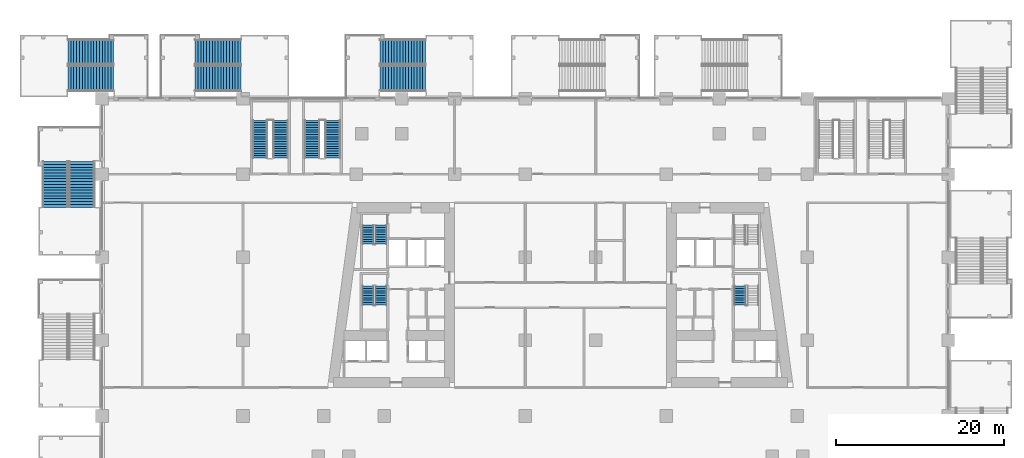
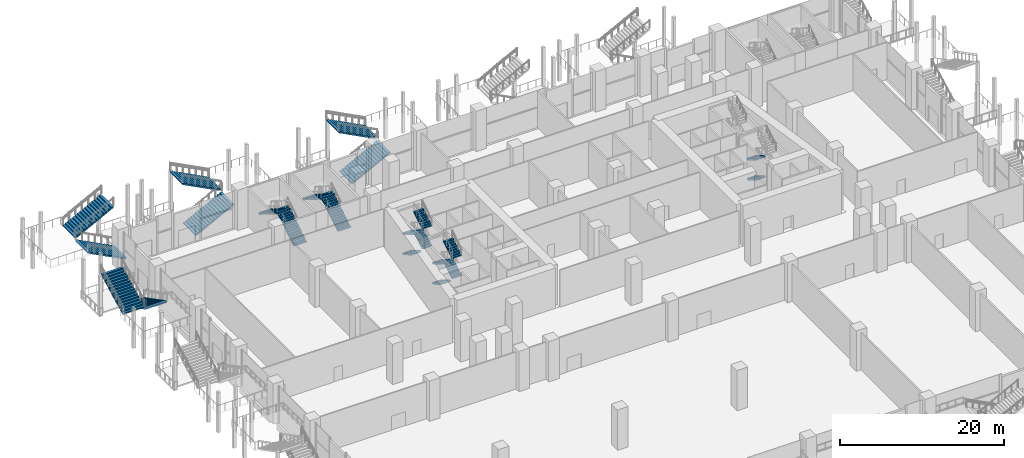
# One storey, part 32 of 49: 22 stair flights, 9 elements without a shape of their own.
"""IFC4 building model written with IfcOpenShell, lengths in metres."""

from ifc_helpers import new_model, si_unit, direction, frame, origin, place, context, subcontext, project, spatial, polyline, outline, extrude, material, type_object, element, aggregate, save


model = new_model("IFC4")

# Units and contexts
model_context = context("Model", 3, precision=1e-05, world=origin(), true_north=direction((0.0, 1.0)))
body_context = subcontext(model_context, "Body", "Model", "MODEL_VIEW")
ifc_project = project(units=[si_unit("LENGTHUNIT", "METRE"), si_unit("AREAUNIT", "SQUARE_METRE"), si_unit("VOLUMEUNIT", "CUBIC_METRE"), si_unit("PLANEANGLEUNIT", "RADIAN"), si_unit("MASSUNIT", "GRAM", prefix="KILO")], contexts=[model_context])

# Site, building, storey
site_placement = place(None, origin())
site = spatial("IfcSite", under=ifc_project, at=site_placement, CompositionType="ELEMENT")
building_placement = place(site_placement, origin())
building = spatial("IfcBuilding", under=site, at=building_placement, Name="Candeia Pilgrim Tower and Theatre", CompositionType="ELEMENT")
storey_placement = place(building_placement, frame((0.0, 0.0, 17.0)))
storey = spatial("IfcBuildingStorey", under=building, at=storey_placement, Name="L02", CompositionType="ELEMENT", Elevation=17.0)

# Stair, stair flights
ifc_material = material(Name="Concrete C40/50", Category="concrete")
stair_type_1 = type_object("IfcStairType", Name="ST-EXT external escape stair", PredefinedType="HALF_TURN_STAIR", material=ifc_material)
stair_1_placement = place(storey_placement, origin())
stair_1 = element("IfcStair", 1, at=stair_1_placement, inside=storey, type_object=stair_type_1, Name="L02 External escape stair ES3", PredefinedType="HALF_TURN_STAIR")
stair_flight_type_1 = type_object("IfcStairFlightType", Name="SFL-EXT stair flight", PredefinedType="STRAIGHT", material=ifc_material)
stair_flight_1_placement = place(storey_placement, frame((60.199951171875, 147.199951171875, 0.0), z_axis=(0.0, 0.0, 1.0), x_axis=(-1.0, 0.0, 0.0)))
stair_flight_1 = element("IfcStairFlight", 2, at=stair_flight_1_placement, type_object=stair_flight_type_1, Name="ES3 flight 1", NumberOfRisers=17, NumberOfTreads=16, PredefinedType="STRAIGHT", RiserHeight=0.176470588, TreadLength=0.34, context=body_context, shape_type="SweptSolid", body=[
    extrude(outline(polyline([(0.0, 0.0), (0.0, 0.176513671875), (0.340087890625, 0.176513671875), (0.340087890625, 0.35302734375), (0.679931640625, 0.35302734375), (0.679931640625, 0.529296875), (1.02001953125, 0.529296875), (1.02001953125, 0.705810546875), (1.360107421875, 0.705810546875), (1.360107421875, 0.88232421875), (1.699951171875, 0.88232421875), (1.699951171875, 1.058837890625), (2.0400390625, 1.058837890625), (2.0400390625, 1.2353515625), (2.3798828125, 1.2353515625), (2.3798828125, 1.411865234375), (2.719970703125, 1.411865234375), (2.719970703125, 1.588134765625), (3.06005859375, 1.588134765625), (3.06005859375, 1.7646484375), (3.39990234375, 1.7646484375), (3.39990234375, 1.941162109375), (3.739990234375, 1.941162109375), (3.739990234375, 2.11767578125), (4.080078125, 2.11767578125), (4.080078125, 2.294189453125), (4.419921875, 2.294189453125), (4.419921875, 2.470703125), (4.760009765625, 2.470703125), (4.760009765625, 2.64697265625), (5.10009765625, 2.64697265625), (5.10009765625, 2.823486328125), (5.43994140625, 2.823486328125), (5.43994140625, 3.0), (5.43994140625, 2.654541015625), (0.325439453125, 0.0), (0.0, 0.0)])), frame((0.0, 1.5, 0.0), z_axis=(0.0, -1.0, 0.0), x_axis=(1.0, 0.0, 0.0)), (0.0, 0.0, 1.0), 3.0),
])
stair_flight_2_placement = place(storey_placement, frame((54.760009765625, 150.35009765625, 3.0), z_axis=(0.0, 0.0, 1.0), x_axis=(1.0, 0.0, 0.0)))
stair_flight_2 = element("IfcStairFlight", 3, at=stair_flight_2_placement, type_object=stair_flight_type_1, Name="ES3 flight 2", NumberOfRisers=17, NumberOfTreads=16, PredefinedType="STRAIGHT", RiserHeight=0.176470588, TreadLength=0.34, context=body_context, shape_type="SweptSolid", body=[
    extrude(outline(polyline([(0.0, 0.0), (0.0, 0.176513671875), (0.340087890625, 0.176513671875), (0.340087890625, 0.35302734375), (0.679931640625, 0.35302734375), (0.679931640625, 0.529296875), (1.02001953125, 0.529296875), (1.02001953125, 0.705810546875), (1.360107421875, 0.705810546875), (1.360107421875, 0.88232421875), (1.699951171875, 0.88232421875), (1.699951171875, 1.058837890625), (2.0400390625, 1.058837890625), (2.0400390625, 1.2353515625), (2.3798828125, 1.2353515625), (2.3798828125, 1.411865234375), (2.719970703125, 1.411865234375), (2.719970703125, 1.588134765625), (3.06005859375, 1.588134765625), (3.06005859375, 1.7646484375), (3.39990234375, 1.7646484375), (3.39990234375, 1.941162109375), (3.739990234375, 1.941162109375), (3.739990234375, 2.11767578125), (4.080078125, 2.11767578125), (4.080078125, 2.294189453125), (4.419921875, 2.294189453125), (4.419921875, 2.470703125), (4.760009765625, 2.470703125), (4.760009765625, 2.64697265625), (5.10009765625, 2.64697265625), (5.10009765625, 2.823486328125), (5.43994140625, 2.823486328125), (5.43994140625, 3.0), (5.43994140625, 2.654541015625), (0.325439453125, 0.0), (0.0, 0.0)])), frame((0.0, 1.5, 0.0), z_axis=(0.0, -1.0, 0.0), x_axis=(1.0, 0.0, 0.0)), (0.0, 0.0, 1.0), 3.0),
])
aggregate(stair_1, [stair_flight_1, stair_flight_2])

stair_2_placement = place(storey_placement, origin())
stair_2 = element("IfcStair", 4, at=stair_2_placement, inside=storey, type_object=stair_type_1, Name="L02 External escape stair ES4", PredefinedType="HALF_TURN_STAIR")
stair_flight_3_placement = place(storey_placement, frame((69.89990234375, 147.199951171875, 0.0), z_axis=(0.0, 0.0, 1.0), x_axis=(1.0, 0.0, 0.0)))
stair_flight_3 = element("IfcStairFlight", 5, at=stair_flight_3_placement, type_object=stair_flight_type_1, Name="ES4 flight 1", NumberOfRisers=17, NumberOfTreads=16, PredefinedType="STRAIGHT", RiserHeight=0.176470588, TreadLength=0.34, context=body_context, shape_type="SweptSolid", body=[
    extrude(outline(polyline([(0.0, 0.0), (0.0, 0.176513671875), (0.340087890625, 0.176513671875), (0.340087890625, 0.35302734375), (0.679931640625, 0.35302734375), (0.679931640625, 0.529296875), (1.02001953125, 0.529296875), (1.02001953125, 0.705810546875), (1.360107421875, 0.705810546875), (1.360107421875, 0.88232421875), (1.699951171875, 0.88232421875), (1.699951171875, 1.058837890625), (2.0400390625, 1.058837890625), (2.0400390625, 1.2353515625), (2.3798828125, 1.2353515625), (2.3798828125, 1.411865234375), (2.719970703125, 1.411865234375), (2.719970703125, 1.588134765625), (3.06005859375, 1.588134765625), (3.06005859375, 1.7646484375), (3.39990234375, 1.7646484375), (3.39990234375, 1.941162109375), (3.739990234375, 1.941162109375), (3.739990234375, 2.11767578125), (4.080078125, 2.11767578125), (4.080078125, 2.294189453125), (4.419921875, 2.294189453125), (4.419921875, 2.470703125), (4.760009765625, 2.470703125), (4.760009765625, 2.64697265625), (5.10009765625, 2.64697265625), (5.10009765625, 2.823486328125), (5.43994140625, 2.823486328125), (5.43994140625, 3.0), (5.43994140625, 2.654541015625), (0.325439453125, 0.0), (0.0, 0.0)])), frame((0.0, 1.5, 0.0), z_axis=(0.0, -1.0, 0.0), x_axis=(1.0, 0.0, 0.0)), (0.0, 0.0, 1.0), 3.0),
])
stair_flight_4_placement = place(storey_placement, frame((75.340087890625, 150.35009765625, 3.0), z_axis=(0.0, 0.0, 1.0), x_axis=(-1.0, 0.0, 0.0)))
stair_flight_4 = element("IfcStairFlight", 6, at=stair_flight_4_placement, type_object=stair_flight_type_1, Name="ES4 flight 2", NumberOfRisers=17, NumberOfTreads=16, PredefinedType="STRAIGHT", RiserHeight=0.176470588, TreadLength=0.34, context=body_context, shape_type="SweptSolid", body=[
    extrude(outline(polyline([(0.0, 0.0), (0.0, 0.176513671875), (0.340087890625, 0.176513671875), (0.340087890625, 0.35302734375), (0.679931640625, 0.35302734375), (0.679931640625, 0.529296875), (1.02001953125, 0.529296875), (1.02001953125, 0.705810546875), (1.360107421875, 0.705810546875), (1.360107421875, 0.88232421875), (1.699951171875, 0.88232421875), (1.699951171875, 1.058837890625), (2.0400390625, 1.058837890625), (2.0400390625, 1.2353515625), (2.3798828125, 1.2353515625), (2.3798828125, 1.411865234375), (2.719970703125, 1.411865234375), (2.719970703125, 1.588134765625), (3.06005859375, 1.588134765625), (3.06005859375, 1.7646484375), (3.39990234375, 1.7646484375), (3.39990234375, 1.941162109375), (3.739990234375, 1.941162109375), (3.739990234375, 2.11767578125), (4.080078125, 2.11767578125), (4.080078125, 2.294189453125), (4.419921875, 2.294189453125), (4.419921875, 2.470703125), (4.760009765625, 2.470703125), (4.760009765625, 2.64697265625), (5.10009765625, 2.64697265625), (5.10009765625, 2.823486328125), (5.43994140625, 2.823486328125), (5.43994140625, 3.0), (5.43994140625, 2.654541015625), (0.325439453125, 0.0), (0.0, 0.0)])), frame((0.0, 1.5, 0.0), z_axis=(0.0, -1.0, 0.0), x_axis=(1.0, 0.0, 0.0)), (0.0, 0.0, 1.0), 3.0),
])
aggregate(stair_2, [stair_flight_3, stair_flight_4])

stair_3_placement = place(storey_placement, origin())
stair_3 = element("IfcStair", 7, at=stair_3_placement, inside=storey, type_object=stair_type_1, Name="L02 External escape stair ES5", PredefinedType="HALF_TURN_STAIR")
stair_flight_5_placement = place(storey_placement, frame((91.89990234375, 147.199951171875, 0.0), z_axis=(0.0, 0.0, 1.0), x_axis=(1.0, 0.0, 0.0)))
stair_flight_5 = element("IfcStairFlight", 8, at=stair_flight_5_placement, type_object=stair_flight_type_1, Name="ES5 flight 1", NumberOfRisers=17, NumberOfTreads=16, PredefinedType="STRAIGHT", RiserHeight=0.176470588, TreadLength=0.34, context=body_context, shape_type="SweptSolid", body=[
    extrude(outline(polyline([(0.0, 0.0), (0.0, 0.176513671875), (0.340087890625, 0.176513671875), (0.340087890625, 0.35302734375), (0.679931640625, 0.35302734375), (0.679931640625, 0.529296875), (1.02001953125, 0.529296875), (1.02001953125, 0.705810546875), (1.360107421875, 0.705810546875), (1.360107421875, 0.88232421875), (1.699951171875, 0.88232421875), (1.699951171875, 1.058837890625), (2.0400390625, 1.058837890625), (2.0400390625, 1.2353515625), (2.3798828125, 1.2353515625), (2.3798828125, 1.411865234375), (2.719970703125, 1.411865234375), (2.719970703125, 1.588134765625), (3.06005859375, 1.588134765625), (3.06005859375, 1.7646484375), (3.39990234375, 1.7646484375), (3.39990234375, 1.941162109375), (3.739990234375, 1.941162109375), (3.739990234375, 2.11767578125), (4.080078125, 2.11767578125), (4.080078125, 2.294189453125), (4.419921875, 2.294189453125), (4.419921875, 2.470703125), (4.760009765625, 2.470703125), (4.760009765625, 2.64697265625), (5.10009765625, 2.64697265625), (5.10009765625, 2.823486328125), (5.43994140625, 2.823486328125), (5.43994140625, 3.0), (5.43994140625, 2.654541015625), (0.325439453125, 0.0), (0.0, 0.0)])), frame((0.0, 1.5, 0.0), z_axis=(0.0, -1.0, 0.0), x_axis=(1.0, 0.0, 0.0)), (0.0, 0.0, 1.0), 3.0),
])
stair_flight_6_placement = place(storey_placement, frame((97.340087890625, 150.35009765625, 3.0), z_axis=(0.0, 0.0, 1.0), x_axis=(-1.0, 0.0, 0.0)))
stair_flight_6 = element("IfcStairFlight", 9, at=stair_flight_6_placement, type_object=stair_flight_type_1, Name="ES5 flight 2", NumberOfRisers=17, NumberOfTreads=16, PredefinedType="STRAIGHT", RiserHeight=0.176470588, TreadLength=0.34, context=body_context, shape_type="SweptSolid", body=[
    extrude(outline(polyline([(0.0, 0.0), (0.0, 0.176513671875), (0.340087890625, 0.176513671875), (0.340087890625, 0.35302734375), (0.679931640625, 0.35302734375), (0.679931640625, 0.529296875), (1.02001953125, 0.529296875), (1.02001953125, 0.705810546875), (1.360107421875, 0.705810546875), (1.360107421875, 0.88232421875), (1.699951171875, 0.88232421875), (1.699951171875, 1.058837890625), (2.0400390625, 1.058837890625), (2.0400390625, 1.2353515625), (2.3798828125, 1.2353515625), (2.3798828125, 1.411865234375), (2.719970703125, 1.411865234375), (2.719970703125, 1.588134765625), (3.06005859375, 1.588134765625), (3.06005859375, 1.7646484375), (3.39990234375, 1.7646484375), (3.39990234375, 1.941162109375), (3.739990234375, 1.941162109375), (3.739990234375, 2.11767578125), (4.080078125, 2.11767578125), (4.080078125, 2.294189453125), (4.419921875, 2.294189453125), (4.419921875, 2.470703125), (4.760009765625, 2.470703125), (4.760009765625, 2.64697265625), (5.10009765625, 2.64697265625), (5.10009765625, 2.823486328125), (5.43994140625, 2.823486328125), (5.43994140625, 3.0), (5.43994140625, 2.654541015625), (0.325439453125, 0.0), (0.0, 0.0)])), frame((0.0, 1.5, 0.0), z_axis=(0.0, -1.0, 0.0), x_axis=(1.0, 0.0, 0.0)), (0.0, 0.0, 1.0), 3.0),
])
aggregate(stair_3, [stair_flight_5, stair_flight_6])

stair_4_placement = place(storey_placement, origin())
stair_4 = element("IfcStair", 10, at=stair_4_placement, inside=storey, type_object=stair_type_1, Name="L02 External escape stair ES13", PredefinedType="HALF_TURN_STAIR")
stair_flight_7_placement = place(storey_placement, frame((56.39990234375, 137.300048828125, 0.0), z_axis=(0.0, 0.0, 1.0), x_axis=(0.0, -1.0, 0.0)))
stair_flight_7 = element("IfcStairFlight", 11, at=stair_flight_7_placement, type_object=stair_flight_type_1, Name="ES13 flight 1", NumberOfRisers=17, NumberOfTreads=16, PredefinedType="STRAIGHT", RiserHeight=0.176470588, TreadLength=0.34, context=body_context, shape_type="SweptSolid", body=[
    extrude(outline(polyline([(0.0, 0.0), (0.0, 0.176513671875), (0.340087890625, 0.176513671875), (0.340087890625, 0.35302734375), (0.679931640625, 0.35302734375), (0.679931640625, 0.529296875), (1.02001953125, 0.529296875), (1.02001953125, 0.705810546875), (1.360107421875, 0.705810546875), (1.360107421875, 0.88232421875), (1.699951171875, 0.88232421875), (1.699951171875, 1.058837890625), (2.0400390625, 1.058837890625), (2.0400390625, 1.2353515625), (2.3798828125, 1.2353515625), (2.3798828125, 1.411865234375), (2.719970703125, 1.411865234375), (2.719970703125, 1.588134765625), (3.06005859375, 1.588134765625), (3.06005859375, 1.7646484375), (3.39990234375, 1.7646484375), (3.39990234375, 1.941162109375), (3.739990234375, 1.941162109375), (3.739990234375, 2.11767578125), (4.080078125, 2.11767578125), (4.080078125, 2.294189453125), (4.419921875, 2.294189453125), (4.419921875, 2.470703125), (4.760009765625, 2.470703125), (4.760009765625, 2.64697265625), (5.10009765625, 2.64697265625), (5.10009765625, 2.823486328125), (5.43994140625, 2.823486328125), (5.43994140625, 3.0), (5.43994140625, 2.654541015625), (0.325439453125, 0.0), (0.0, 0.0)])), frame((0.0, 1.5, 0.0), z_axis=(0.0, -1.0, 0.0), x_axis=(1.0, 0.0, 0.0)), (0.0, 0.0, 1.0), 3.0),
])
stair_flight_8_placement = place(storey_placement, frame((53.25, 131.860107421875, 3.0), z_axis=(0.0, 0.0, 1.0), x_axis=(0.0, 1.0, 0.0)))
stair_flight_8 = element("IfcStairFlight", 12, at=stair_flight_8_placement, type_object=stair_flight_type_1, Name="ES13 flight 2", NumberOfRisers=17, NumberOfTreads=16, PredefinedType="STRAIGHT", RiserHeight=0.176470588, TreadLength=0.34, context=body_context, shape_type="SweptSolid", body=[
    extrude(outline(polyline([(0.0, 0.0), (0.0, 0.176513671875), (0.340087890625, 0.176513671875), (0.340087890625, 0.35302734375), (0.679931640625, 0.35302734375), (0.679931640625, 0.529296875), (1.02001953125, 0.529296875), (1.02001953125, 0.705810546875), (1.360107421875, 0.705810546875), (1.360107421875, 0.88232421875), (1.699951171875, 0.88232421875), (1.699951171875, 1.058837890625), (2.0400390625, 1.058837890625), (2.0400390625, 1.2353515625), (2.3798828125, 1.2353515625), (2.3798828125, 1.411865234375), (2.719970703125, 1.411865234375), (2.719970703125, 1.588134765625), (3.06005859375, 1.588134765625), (3.06005859375, 1.7646484375), (3.39990234375, 1.7646484375), (3.39990234375, 1.941162109375), (3.739990234375, 1.941162109375), (3.739990234375, 2.11767578125), (4.080078125, 2.11767578125), (4.080078125, 2.294189453125), (4.419921875, 2.294189453125), (4.419921875, 2.470703125), (4.760009765625, 2.470703125), (4.760009765625, 2.64697265625), (5.10009765625, 2.64697265625), (5.10009765625, 2.823486328125), (5.43994140625, 2.823486328125), (5.43994140625, 3.0), (5.43994140625, 2.654541015625), (0.325439453125, 0.0), (0.0, 0.0)])), frame((0.0, 1.5, 0.0), z_axis=(0.0, -1.0, 0.0), x_axis=(1.0, 0.0, 0.0)), (0.0, 0.0, 1.0), 3.0),
])
aggregate(stair_4, [stair_flight_7, stair_flight_8])

stair_type_2 = type_object("IfcStairType", Name="ST-POD dog-leg escape stair", PredefinedType="HALF_TURN_STAIR", material=ifc_material)
stair_5_placement = place(storey_placement, origin())
stair_5 = element("IfcStair", 13, at=stair_5_placement, inside=storey, type_object=stair_type_2, Name="L02 Escape stair PS1", PredefinedType="HALF_TURN_STAIR")
stair_flight_type_2 = type_object("IfcStairFlightType", Name="SFL-POD stair flight", PredefinedType="STRAIGHT", material=ifc_material)
stair_flight_9_placement = place(storey_placement, frame((80.074951171875, 137.72509765625, 0.0), z_axis=(0.0, 0.0, 1.0), x_axis=(0.0, 1.0, 0.0)))
stair_flight_9 = element("IfcStairFlight", 14, at=stair_flight_9_placement, type_object=stair_flight_type_2, Name="PS1 flight 1", NumberOfRisers=17, NumberOfTreads=16, PredefinedType="STRAIGHT", RiserHeight=0.176470588, TreadLength=0.28, context=body_context, shape_type="SweptSolid", body=[
    extrude(outline(polyline([(0.0, 0.0), (0.0, 0.176513671875), (0.280029296875, 0.176513671875), (0.280029296875, 0.35302734375), (0.56005859375, 0.35302734375), (0.56005859375, 0.529296875), (0.840087890625, 0.529296875), (0.840087890625, 0.705810546875), (1.1201171875, 0.705810546875), (1.1201171875, 0.88232421875), (1.39990234375, 0.88232421875), (1.39990234375, 1.058837890625), (1.679931640625, 1.058837890625), (1.679931640625, 1.2353515625), (1.9599609375, 1.2353515625), (1.9599609375, 1.411865234375), (2.239990234375, 1.411865234375), (2.239990234375, 1.588134765625), (2.52001953125, 1.588134765625), (2.52001953125, 1.7646484375), (2.800048828125, 1.7646484375), (2.800048828125, 1.941162109375), (3.080078125, 1.941162109375), (3.080078125, 2.11767578125), (3.360107421875, 2.11767578125), (3.360107421875, 2.294189453125), (3.639892578125, 2.294189453125), (3.639892578125, 2.470703125), (3.919921875, 2.470703125), (3.919921875, 2.64697265625), (4.199951171875, 2.64697265625), (4.199951171875, 2.823486328125), (4.47998046875, 2.823486328125), (4.47998046875, 3.0), (4.47998046875, 2.646240234375), (0.28125, 0.0), (0.0, 0.0)])), frame((0.0, 0.89990234375, 0.0), z_axis=(0.0, -1.0, 0.0), x_axis=(1.0, 0.0, 0.0)), (0.0, 0.0, 1.0), 1.800048828125),
])
stair_flight_10_placement = place(storey_placement, frame((77.625, 142.205078125, 3.0), z_axis=(0.0, 0.0, 1.0), x_axis=(0.0, -1.0, 0.0)))
stair_flight_10 = element("IfcStairFlight", 15, at=stair_flight_10_placement, type_object=stair_flight_type_2, Name="PS1 flight 2", NumberOfRisers=17, NumberOfTreads=16, PredefinedType="STRAIGHT", RiserHeight=0.176470588, TreadLength=0.28, context=body_context, shape_type="SweptSolid", body=[
    extrude(outline(polyline([(0.0, 0.0), (0.0, 0.176513671875), (0.280029296875, 0.176513671875), (0.280029296875, 0.35302734375), (0.56005859375, 0.35302734375), (0.56005859375, 0.529296875), (0.840087890625, 0.529296875), (0.840087890625, 0.705810546875), (1.1201171875, 0.705810546875), (1.1201171875, 0.88232421875), (1.39990234375, 0.88232421875), (1.39990234375, 1.058837890625), (1.679931640625, 1.058837890625), (1.679931640625, 1.2353515625), (1.9599609375, 1.2353515625), (1.9599609375, 1.411865234375), (2.239990234375, 1.411865234375), (2.239990234375, 1.588134765625), (2.52001953125, 1.588134765625), (2.52001953125, 1.7646484375), (2.800048828125, 1.7646484375), (2.800048828125, 1.941162109375), (3.080078125, 1.941162109375), (3.080078125, 2.11767578125), (3.360107421875, 2.11767578125), (3.360107421875, 2.294189453125), (3.639892578125, 2.294189453125), (3.639892578125, 2.470703125), (3.919921875, 2.470703125), (3.919921875, 2.64697265625), (4.199951171875, 2.64697265625), (4.199951171875, 2.823486328125), (4.47998046875, 2.823486328125), (4.47998046875, 3.0), (4.47998046875, 2.646240234375), (0.28125, 0.0), (0.0, 0.0)])), frame((0.0, 0.89990234375, 0.0), z_axis=(0.0, -1.0, 0.0), x_axis=(1.0, 0.0, 0.0)), (0.0, 0.0, 1.0), 1.800048828125),
])
aggregate(stair_5, [stair_flight_9, stair_flight_10])

stair_6_placement = place(storey_placement, origin())
stair_6 = element("IfcStair", 16, at=stair_6_placement, inside=storey, type_object=stair_type_2, Name="L02 Escape stair PS2", PredefinedType="HALF_TURN_STAIR")
stair_flight_11_placement = place(storey_placement, frame((86.27490234375, 137.72509765625, 0.0), z_axis=(0.0, 0.0, 1.0), x_axis=(0.0, 1.0, 0.0)))
stair_flight_11 = element("IfcStairFlight", 17, at=stair_flight_11_placement, type_object=stair_flight_type_2, Name="PS2 flight 1", NumberOfRisers=17, NumberOfTreads=16, PredefinedType="STRAIGHT", RiserHeight=0.176470588, TreadLength=0.28, context=body_context, shape_type="SweptSolid", body=[
    extrude(outline(polyline([(0.0, 0.0), (0.0, 0.176513671875), (0.280029296875, 0.176513671875), (0.280029296875, 0.35302734375), (0.56005859375, 0.35302734375), (0.56005859375, 0.529296875), (0.840087890625, 0.529296875), (0.840087890625, 0.705810546875), (1.1201171875, 0.705810546875), (1.1201171875, 0.88232421875), (1.39990234375, 0.88232421875), (1.39990234375, 1.058837890625), (1.679931640625, 1.058837890625), (1.679931640625, 1.2353515625), (1.9599609375, 1.2353515625), (1.9599609375, 1.411865234375), (2.239990234375, 1.411865234375), (2.239990234375, 1.588134765625), (2.52001953125, 1.588134765625), (2.52001953125, 1.7646484375), (2.800048828125, 1.7646484375), (2.800048828125, 1.941162109375), (3.080078125, 1.941162109375), (3.080078125, 2.11767578125), (3.360107421875, 2.11767578125), (3.360107421875, 2.294189453125), (3.639892578125, 2.294189453125), (3.639892578125, 2.470703125), (3.919921875, 2.470703125), (3.919921875, 2.64697265625), (4.199951171875, 2.64697265625), (4.199951171875, 2.823486328125), (4.47998046875, 2.823486328125), (4.47998046875, 3.0), (4.47998046875, 2.646240234375), (0.28125, 0.0), (0.0, 0.0)])), frame((0.0, 0.89990234375, 0.0), z_axis=(0.0, -1.0, 0.0), x_axis=(1.0, 0.0, 0.0)), (0.0, 0.0, 1.0), 1.800048828125),
])
stair_flight_12_placement = place(storey_placement, frame((83.824951171875, 142.205078125, 3.0), z_axis=(0.0, 0.0, 1.0), x_axis=(0.0, -1.0, 0.0)))
stair_flight_12 = element("IfcStairFlight", 18, at=stair_flight_12_placement, type_object=stair_flight_type_2, Name="PS2 flight 2", NumberOfRisers=17, NumberOfTreads=16, PredefinedType="STRAIGHT", RiserHeight=0.176470588, TreadLength=0.28, context=body_context, shape_type="SweptSolid", body=[
    extrude(outline(polyline([(0.0, 0.0), (0.0, 0.176513671875), (0.280029296875, 0.176513671875), (0.280029296875, 0.35302734375), (0.56005859375, 0.35302734375), (0.56005859375, 0.529296875), (0.840087890625, 0.529296875), (0.840087890625, 0.705810546875), (1.1201171875, 0.705810546875), (1.1201171875, 0.88232421875), (1.39990234375, 0.88232421875), (1.39990234375, 1.058837890625), (1.679931640625, 1.058837890625), (1.679931640625, 1.2353515625), (1.9599609375, 1.2353515625), (1.9599609375, 1.411865234375), (2.239990234375, 1.411865234375), (2.239990234375, 1.588134765625), (2.52001953125, 1.588134765625), (2.52001953125, 1.7646484375), (2.800048828125, 1.7646484375), (2.800048828125, 1.941162109375), (3.080078125, 1.941162109375), (3.080078125, 2.11767578125), (3.360107421875, 2.11767578125), (3.360107421875, 2.294189453125), (3.639892578125, 2.294189453125), (3.639892578125, 2.470703125), (3.919921875, 2.470703125), (3.919921875, 2.64697265625), (4.199951171875, 2.64697265625), (4.199951171875, 2.823486328125), (4.47998046875, 2.823486328125), (4.47998046875, 3.0), (4.47998046875, 2.646240234375), (0.28125, 0.0), (0.0, 0.0)])), frame((0.0, 0.89990234375, 0.0), z_axis=(0.0, -1.0, 0.0), x_axis=(1.0, 0.0, 0.0)), (0.0, 0.0, 1.0), 1.800048828125),
])
aggregate(stair_6, [stair_flight_11, stair_flight_12])

stair_type_3 = type_object("IfcStairType", Name="ST-TWR dog-leg escape stair", PredefinedType="HALF_TURN_STAIR", material=ifc_material)
stair_7_placement = place(storey_placement, origin())
stair_7 = element("IfcStair", 19, at=stair_7_placement, inside=storey, type_object=stair_type_3, Name="L02 Escape stair ST1", PredefinedType="HALF_TURN_STAIR")
stair_flight_type_3 = type_object("IfcStairFlightType", Name="SFL-RC stair flight", PredefinedType="STRAIGHT", material=ifc_material)
stair_flight_13_placement = place(storey_placement, frame((90.47705078125, 122.47509765625, 0.0), z_axis=(0.0, 0.0, 1.0), x_axis=(0.0, -1.0, 0.0)))
stair_flight_13 = element("IfcStairFlight", 20, at=stair_flight_13_placement, type_object=stair_flight_type_3, Name="ST1 flight 1", NumberOfRisers=9, NumberOfTreads=8, PredefinedType="STRAIGHT", RiserHeight=0.166666667, TreadLength=0.28, context=body_context, shape_type="SweptSolid", body=[
    extrude(outline(polyline([(0.0, 0.0), (0.0, 0.166748046875), (0.280029296875, 0.166748046875), (0.280029296875, 0.333251953125), (0.56005859375, 0.333251953125), (0.56005859375, 0.5), (0.840087890625, 0.5), (0.840087890625, 0.666748046875), (1.1201171875, 0.666748046875), (1.1201171875, 0.833251953125), (1.39990234375, 0.833251953125), (1.39990234375, 1.0), (1.679931640625, 1.0), (1.679931640625, 1.166748046875), (1.9599609375, 1.166748046875), (1.9599609375, 1.333251953125), (2.239990234375, 1.333251953125), (2.239990234375, 1.5), (2.239990234375, 1.158935546875), (0.29296875, 0.0), (0.0, 0.0)])), frame((0.0, 0.675048828125, 0.0), z_axis=(0.0, -1.0, 0.0), x_axis=(1.0, 0.0, 0.0)), (0.0, 0.0, 1.0), 1.35009765625),
])
stair_flight_14_placement = place(storey_placement, frame((92.027099609375, 120.235107421875, 1.5), z_axis=(0.0, 0.0, 1.0), x_axis=(0.0, 1.0, 0.0)))
stair_flight_14 = element("IfcStairFlight", 21, at=stair_flight_14_placement, type_object=stair_flight_type_3, Name="ST1 flight 2", NumberOfRisers=9, NumberOfTreads=8, PredefinedType="STRAIGHT", RiserHeight=0.166666667, TreadLength=0.28, context=body_context, shape_type="SweptSolid", body=[
    extrude(outline(polyline([(0.0, 0.0), (0.0, 0.166748046875), (0.280029296875, 0.166748046875), (0.280029296875, 0.333251953125), (0.56005859375, 0.333251953125), (0.56005859375, 0.5), (0.840087890625, 0.5), (0.840087890625, 0.666748046875), (1.1201171875, 0.666748046875), (1.1201171875, 0.833251953125), (1.39990234375, 0.833251953125), (1.39990234375, 1.0), (1.679931640625, 1.0), (1.679931640625, 1.166748046875), (1.9599609375, 1.166748046875), (1.9599609375, 1.333251953125), (2.239990234375, 1.333251953125), (2.239990234375, 1.5), (2.239990234375, 1.158935546875), (0.29296875, 0.0), (0.0, 0.0)])), frame((0.0, 0.675048828125, 0.0), z_axis=(0.0, -1.0, 0.0), x_axis=(1.0, 0.0, 0.0)), (0.0, 0.0, 1.0), 1.35009765625),
])
stair_flight_15_placement = place(storey_placement, frame((90.47705078125, 122.47509765625, 3.0), z_axis=(0.0, 0.0, 1.0), x_axis=(0.0, -1.0, 0.0)))
stair_flight_15 = element("IfcStairFlight", 22, at=stair_flight_15_placement, type_object=stair_flight_type_3, Name="ST1 flight 3", NumberOfRisers=9, NumberOfTreads=8, PredefinedType="STRAIGHT", RiserHeight=0.166666667, TreadLength=0.28, context=body_context, shape_type="SweptSolid", body=[
    extrude(outline(polyline([(0.0, 0.0), (0.0, 0.166748046875), (0.280029296875, 0.166748046875), (0.280029296875, 0.333251953125), (0.56005859375, 0.333251953125), (0.56005859375, 0.5), (0.840087890625, 0.5), (0.840087890625, 0.666748046875), (1.1201171875, 0.666748046875), (1.1201171875, 0.833251953125), (1.39990234375, 0.833251953125), (1.39990234375, 1.0), (1.679931640625, 1.0), (1.679931640625, 1.166748046875), (1.9599609375, 1.166748046875), (1.9599609375, 1.333251953125), (2.239990234375, 1.333251953125), (2.239990234375, 1.5), (2.239990234375, 1.158935546875), (0.29296875, 0.0), (0.0, 0.0)])), frame((0.0, 0.675048828125, 0.0), z_axis=(0.0, -1.0, 0.0), x_axis=(1.0, 0.0, 0.0)), (0.0, 0.0, 1.0), 1.35009765625),
])
stair_flight_16_placement = place(storey_placement, frame((92.027099609375, 120.235107421875, 4.5), z_axis=(0.0, 0.0, 1.0), x_axis=(0.0, 1.0, 0.0)))
stair_flight_16 = element("IfcStairFlight", 23, at=stair_flight_16_placement, type_object=stair_flight_type_3, Name="ST1 flight 4", NumberOfRisers=9, NumberOfTreads=8, PredefinedType="STRAIGHT", RiserHeight=0.166666667, TreadLength=0.28, context=body_context, shape_type="SweptSolid", body=[
    extrude(outline(polyline([(0.0, 0.0), (0.0, 0.166748046875), (0.280029296875, 0.166748046875), (0.280029296875, 0.333251953125), (0.56005859375, 0.333251953125), (0.56005859375, 0.5), (0.840087890625, 0.5), (0.840087890625, 0.666748046875), (1.1201171875, 0.666748046875), (1.1201171875, 0.833251953125), (1.39990234375, 0.833251953125), (1.39990234375, 1.0), (1.679931640625, 1.0), (1.679931640625, 1.166748046875), (1.9599609375, 1.166748046875), (1.9599609375, 1.333251953125), (2.239990234375, 1.333251953125), (2.239990234375, 1.5), (2.239990234375, 1.158935546875), (0.29296875, 0.0), (0.0, 0.0)])), frame((0.0, 0.675048828125, 0.0), z_axis=(0.0, -1.0, 0.0), x_axis=(1.0, 0.0, 0.0)), (0.0, 0.0, 1.0), 1.35009765625),
])
aggregate(stair_7, [stair_flight_13, stair_flight_14, stair_flight_15, stair_flight_16])

stair_8_placement = place(storey_placement, origin())
stair_8 = element("IfcStair", 24, at=stair_8_placement, inside=storey, type_object=stair_type_3, Name="L02 Escape stair ST2", PredefinedType="HALF_TURN_STAIR")
stair_flight_17_placement = place(storey_placement, frame((90.47705078125, 129.72509765625, 0.0), z_axis=(0.0, 0.0, 1.0), x_axis=(0.0, -1.0, 0.0)))
stair_flight_17 = element("IfcStairFlight", 25, at=stair_flight_17_placement, type_object=stair_flight_type_3, Name="ST2 flight 1", NumberOfRisers=9, NumberOfTreads=8, PredefinedType="STRAIGHT", RiserHeight=0.166666667, TreadLength=0.28, context=body_context, shape_type="SweptSolid", body=[
    extrude(outline(polyline([(0.0, 0.0), (0.0, 0.166748046875), (0.280029296875, 0.166748046875), (0.280029296875, 0.333251953125), (0.56005859375, 0.333251953125), (0.56005859375, 0.5), (0.840087890625, 0.5), (0.840087890625, 0.666748046875), (1.1201171875, 0.666748046875), (1.1201171875, 0.833251953125), (1.39990234375, 0.833251953125), (1.39990234375, 1.0), (1.679931640625, 1.0), (1.679931640625, 1.166748046875), (1.9599609375, 1.166748046875), (1.9599609375, 1.333251953125), (2.239990234375, 1.333251953125), (2.239990234375, 1.5), (2.239990234375, 1.158935546875), (0.29296875, 0.0), (0.0, 0.0)])), frame((0.0, 0.675048828125, 0.0), z_axis=(0.0, -1.0, 0.0), x_axis=(1.0, 0.0, 0.0)), (0.0, 0.0, 1.0), 1.35009765625),
])
stair_flight_18_placement = place(storey_placement, frame((92.027099609375, 127.485107421875, 1.5), z_axis=(0.0, 0.0, 1.0), x_axis=(0.0, 1.0, 0.0)))
stair_flight_18 = element("IfcStairFlight", 26, at=stair_flight_18_placement, type_object=stair_flight_type_3, Name="ST2 flight 2", NumberOfRisers=9, NumberOfTreads=8, PredefinedType="STRAIGHT", RiserHeight=0.166666667, TreadLength=0.28, context=body_context, shape_type="SweptSolid", body=[
    extrude(outline(polyline([(0.0, 0.0), (0.0, 0.166748046875), (0.280029296875, 0.166748046875), (0.280029296875, 0.333251953125), (0.56005859375, 0.333251953125), (0.56005859375, 0.5), (0.840087890625, 0.5), (0.840087890625, 0.666748046875), (1.1201171875, 0.666748046875), (1.1201171875, 0.833251953125), (1.39990234375, 0.833251953125), (1.39990234375, 1.0), (1.679931640625, 1.0), (1.679931640625, 1.166748046875), (1.9599609375, 1.166748046875), (1.9599609375, 1.333251953125), (2.239990234375, 1.333251953125), (2.239990234375, 1.5), (2.239990234375, 1.158935546875), (0.29296875, 0.0), (0.0, 0.0)])), frame((0.0, 0.675048828125, 0.0), z_axis=(0.0, -1.0, 0.0), x_axis=(1.0, 0.0, 0.0)), (0.0, 0.0, 1.0), 1.35009765625),
])
stair_flight_19_placement = place(storey_placement, frame((90.47705078125, 129.72509765625, 3.0), z_axis=(0.0, 0.0, 1.0), x_axis=(0.0, -1.0, 0.0)))
stair_flight_19 = element("IfcStairFlight", 27, at=stair_flight_19_placement, type_object=stair_flight_type_3, Name="ST2 flight 3", NumberOfRisers=9, NumberOfTreads=8, PredefinedType="STRAIGHT", RiserHeight=0.166666667, TreadLength=0.28, context=body_context, shape_type="SweptSolid", body=[
    extrude(outline(polyline([(0.0, 0.0), (0.0, 0.166748046875), (0.280029296875, 0.166748046875), (0.280029296875, 0.333251953125), (0.56005859375, 0.333251953125), (0.56005859375, 0.5), (0.840087890625, 0.5), (0.840087890625, 0.666748046875), (1.1201171875, 0.666748046875), (1.1201171875, 0.833251953125), (1.39990234375, 0.833251953125), (1.39990234375, 1.0), (1.679931640625, 1.0), (1.679931640625, 1.166748046875), (1.9599609375, 1.166748046875), (1.9599609375, 1.333251953125), (2.239990234375, 1.333251953125), (2.239990234375, 1.5), (2.239990234375, 1.158935546875), (0.29296875, 0.0), (0.0, 0.0)])), frame((0.0, 0.675048828125, 0.0), z_axis=(0.0, -1.0, 0.0), x_axis=(1.0, 0.0, 0.0)), (0.0, 0.0, 1.0), 1.35009765625),
])
stair_flight_20_placement = place(storey_placement, frame((92.027099609375, 127.485107421875, 4.5), z_axis=(0.0, 0.0, 1.0), x_axis=(0.0, 1.0, 0.0)))
stair_flight_20 = element("IfcStairFlight", 28, at=stair_flight_20_placement, type_object=stair_flight_type_3, Name="ST2 flight 4", NumberOfRisers=9, NumberOfTreads=8, PredefinedType="STRAIGHT", RiserHeight=0.166666667, TreadLength=0.28, context=body_context, shape_type="SweptSolid", body=[
    extrude(outline(polyline([(0.0, 0.0), (0.0, 0.166748046875), (0.280029296875, 0.166748046875), (0.280029296875, 0.333251953125), (0.56005859375, 0.333251953125), (0.56005859375, 0.5), (0.840087890625, 0.5), (0.840087890625, 0.666748046875), (1.1201171875, 0.666748046875), (1.1201171875, 0.833251953125), (1.39990234375, 0.833251953125), (1.39990234375, 1.0), (1.679931640625, 1.0), (1.679931640625, 1.166748046875), (1.9599609375, 1.166748046875), (1.9599609375, 1.333251953125), (2.239990234375, 1.333251953125), (2.239990234375, 1.5), (2.239990234375, 1.158935546875), (0.29296875, 0.0), (0.0, 0.0)])), frame((0.0, 0.675048828125, 0.0), z_axis=(0.0, -1.0, 0.0), x_axis=(1.0, 0.0, 0.0)), (0.0, 0.0, 1.0), 1.35009765625),
])
aggregate(stair_8, [stair_flight_17, stair_flight_18, stair_flight_19, stair_flight_20])

stair_9_placement = place(storey_placement, origin())
stair_9 = element("IfcStair", 29, at=stair_9_placement, inside=storey, type_object=stair_type_3, Name="L02 Escape stair ST3", PredefinedType="HALF_TURN_STAIR")
stair_flight_21_placement = place(storey_placement, frame((134.77294921875, 122.47509765625, 0.0), z_axis=(0.0, 0.0, 1.0), x_axis=(0.0, -1.0, 0.0)))
stair_flight_21 = element("IfcStairFlight", 30, at=stair_flight_21_placement, type_object=stair_flight_type_3, Name="ST3 flight 1", NumberOfRisers=9, NumberOfTreads=8, PredefinedType="STRAIGHT", RiserHeight=0.166666667, TreadLength=0.28, context=body_context, shape_type="SweptSolid", body=[
    extrude(outline(polyline([(0.0, 0.0), (0.0, 0.166748046875), (0.280029296875, 0.166748046875), (0.280029296875, 0.333251953125), (0.56005859375, 0.333251953125), (0.56005859375, 0.5), (0.840087890625, 0.5), (0.840087890625, 0.666748046875), (1.1201171875, 0.666748046875), (1.1201171875, 0.833251953125), (1.39990234375, 0.833251953125), (1.39990234375, 1.0), (1.679931640625, 1.0), (1.679931640625, 1.166748046875), (1.9599609375, 1.166748046875), (1.9599609375, 1.333251953125), (2.239990234375, 1.333251953125), (2.239990234375, 1.5), (2.239990234375, 1.158935546875), (0.29296875, 0.0), (0.0, 0.0)])), frame((0.0, 0.675048828125, 0.0), z_axis=(0.0, -1.0, 0.0), x_axis=(1.0, 0.0, 0.0)), (0.0, 0.0, 1.0), 1.35009765625),
])
stair_flight_22_placement = place(storey_placement, frame((134.77294921875, 122.47509765625, 3.0), z_axis=(0.0, 0.0, 1.0), x_axis=(0.0, -1.0, 0.0)))
stair_flight_22 = element("IfcStairFlight", 31, at=stair_flight_22_placement, type_object=stair_flight_type_3, Name="ST3 flight 3", NumberOfRisers=9, NumberOfTreads=8, PredefinedType="STRAIGHT", RiserHeight=0.166666667, TreadLength=0.28, context=body_context, shape_type="SweptSolid", body=[
    extrude(outline(polyline([(0.0, 0.0), (0.0, 0.166748046875), (0.280029296875, 0.166748046875), (0.280029296875, 0.333251953125), (0.56005859375, 0.333251953125), (0.56005859375, 0.5), (0.840087890625, 0.5), (0.840087890625, 0.666748046875), (1.1201171875, 0.666748046875), (1.1201171875, 0.833251953125), (1.39990234375, 0.833251953125), (1.39990234375, 1.0), (1.679931640625, 1.0), (1.679931640625, 1.166748046875), (1.9599609375, 1.166748046875), (1.9599609375, 1.333251953125), (2.239990234375, 1.333251953125), (2.239990234375, 1.5), (2.239990234375, 1.158935546875), (0.29296875, 0.0), (0.0, 0.0)])), frame((0.0, 0.675048828125, 0.0), z_axis=(0.0, -1.0, 0.0), x_axis=(1.0, 0.0, 0.0)), (0.0, 0.0, 1.0), 1.35009765625),
])
aggregate(stair_9, [stair_flight_21, stair_flight_22])

save(model, "model.ifc")
